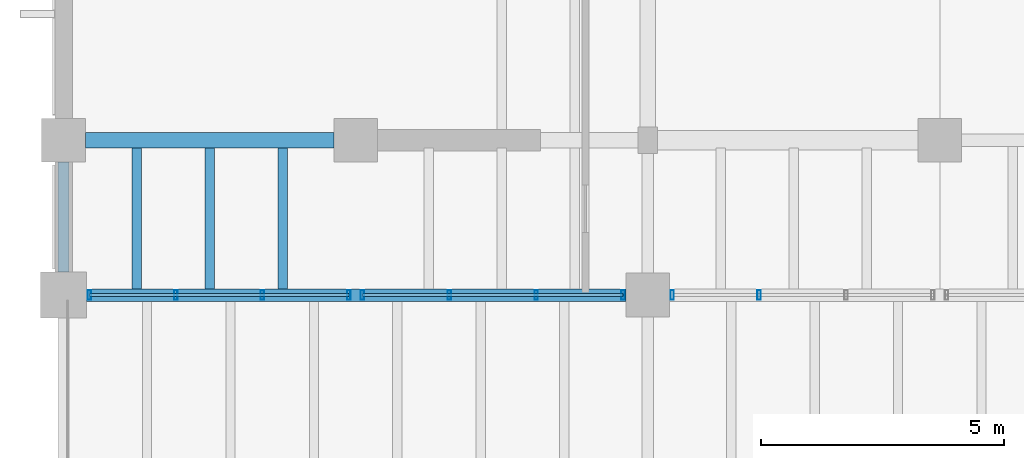
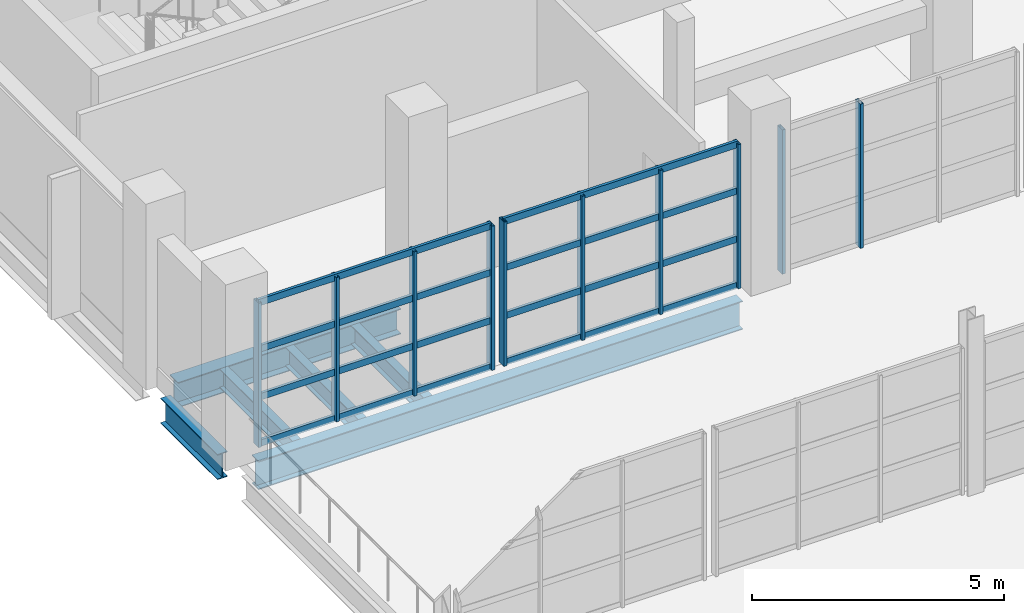
# One storey, part 54 of 114: 18 members, 6 beams, 3 elements without a shape of their own.
"""IFC4 building model written with IfcOpenShell, lengths in metres."""

import ifcopenshell
import ifcopenshell.guid

model = None  # the IFC model being written
_history = None  # IfcOwnerHistory: only IFC2X3 demands one
_inside = {}  # id of a spatial element -> (the spatial element, [elements in it])
_under = {}  # id of a project, library or spatial element -> (it, [spatial elements below it])
_declared = {}  # id of a project -> (the project, [libraries it declares])
_typed = {}  # id of a type object -> (the type object, [elements of that type])
_made_of = {}  # id of a material, layer set ... -> (it, [elements and type objects made of it])


def new_model(schema):
    """Start an empty IFC model of exactly this schema.

    Asked for "IFC4X3", IfcOpenShell would pick the latest addendum, in which some entities
    have other attributes; the version numbers below select the first issue.
    IFC2X3 requires an IfcOwnerHistory on every rooted entity: one is made here for all.
    """
    global model, _history
    if schema == "IFC4X3":
        model = ifcopenshell.file(schema_version=(4, 3, 0, 0))
    else:
        model = ifcopenshell.file(schema=schema)
    _inside.clear()
    _under.clear()
    _declared.clear()
    _typed.clear()
    _made_of.clear()
    _history = None
    if model.schema == "IFC2X3":
        org = make("IfcOrganization", Name="unknown")
        user = make(
            "IfcPersonAndOrganization",
            ThePerson=make("IfcPerson", FamilyName="unknown"),
            TheOrganization=org,
        )
        app = make(
            "IfcApplication",
            ApplicationDeveloper=org,
            Version="unknown",
            ApplicationFullName="unknown",
            ApplicationIdentifier="unknown",
        )
        _history = make(
            "IfcOwnerHistory",
            OwningUser=user,
            OwningApplication=app,
            ChangeAction="ADDED",
            CreationDate=0,
        )
    return model


def make(cls, **values):
    """One entity of the class cls with the attributes given. An attribute that is None is left unset."""
    return model.create_entity(
        cls, **{name: value for name, value in values.items() if value is not None}
    )


def rooted(cls, **values):
    """An entity with a GlobalId (a new one), such as an element, a storey or a relation."""
    return make(cls, GlobalId=ifcopenshell.guid.new(), OwnerHistory=_history, **values)


def si_unit(unit_type, name, prefix=None):
    """IfcSIUnit, for example si_unit("LENGTHUNIT", "METRE", prefix="MILLI")."""
    return make("IfcSIUnit", UnitType=unit_type, Prefix=prefix, Name=name)


def assignment(units):
    """IfcUnitAssignment: the units of a project."""
    return None if units is None else make("IfcUnitAssignment", Units=units)


def point(xyz):
    """IfcCartesianPoint."""
    return None if xyz is None else make("IfcCartesianPoint", Coordinates=xyz)


def direction(xyz):
    """IfcDirection."""
    return None if xyz is None else make("IfcDirection", DirectionRatios=xyz)


def frame(location, z_axis=None, x_axis=None):
    """IfcAxis2Placement3D, a coordinate frame: its origin and axes. An axis left out is left unset."""
    return make(
        "IfcAxis2Placement3D",
        Location=point(location),
        Axis=direction(z_axis),
        RefDirection=direction(x_axis),
    )


def frame_2d(location, x_axis=None):
    """IfcAxis2Placement2D, a coordinate frame in the plane: its origin and x axis."""
    return make(
        "IfcAxis2Placement2D", Location=point(location), RefDirection=direction(x_axis)
    )


def origin():
    """The frame at (0, 0, 0) with its axes left unset."""
    return frame((0.0, 0.0, 0.0))


def origin_2d():
    """The frame at (0, 0) in the plane with its x axis left unset."""
    return frame_2d((0.0, 0.0))


def place(relative_to, where):
    """IfcLocalPlacement: puts the frame where relative to a parent placement (None: the world)."""
    return make(
        "IfcLocalPlacement", PlacementRelTo=relative_to, RelativePlacement=where
    )


def context(
    kind, dimensions, precision=None, world=None, true_north=None, identifier=None
):
    """IfcGeometricRepresentationContext, for example the 3D "Model" context."""
    return make(
        "IfcGeometricRepresentationContext",
        ContextIdentifier=identifier,
        ContextType=kind,
        CoordinateSpaceDimension=dimensions,
        Precision=precision,
        WorldCoordinateSystem=world,
        TrueNorth=true_north,
    )


def subcontext(parent, identifier, kind, view, scale=None):
    """IfcGeometricRepresentationSubContext, for example "Body" below "Model"."""
    return make(
        "IfcGeometricRepresentationSubContext",
        ContextIdentifier=identifier,
        ContextType=kind,
        ParentContext=parent,
        TargetScale=scale,
        TargetView=view,
    )


def project(units=None, contexts=None):
    """IfcProject with its units and contexts."""
    return rooted(
        "IfcProject",
        Name="project",
        RepresentationContexts=contexts,
        UnitsInContext=assignment(units),
    )


def spatial(cls, under=None, at=None, **own):
    """A site, building, storey or space (cls), placed at a placement, below another one or the project."""
    s = rooted(cls, ObjectPlacement=at, **own)
    if under is not None:
        _under.setdefault(under.id(), (under, []))[1].append(s)
    return s


def profile(cls, at=None, kind="AREA", **sizes):
    """A parametric profile (cls). Its sizes go by their IFC names, for example OverallWidth=200.0."""
    return make(cls, ProfileType=kind, Position=at, **sizes)


def hollow_rectangle(**sizes):
    """IfcRectangleHollowProfileDef."""
    return profile("IfcRectangleHollowProfileDef", **sizes)


def i_section(**sizes):
    """IfcIShapeProfileDef."""
    return profile("IfcIShapeProfileDef", **sizes)


def extrude(swept, where, along, depth):
    """IfcExtrudedAreaSolid: the profile swept, set in the frame where, extruded along a direction by depth."""
    return make(
        "IfcExtrudedAreaSolid",
        SweptArea=swept,
        Position=where,
        ExtrudedDirection=direction(along),
        Depth=depth,
    )


def shape(context_of_items, identifier, shape_type, items):
    """IfcShapeRepresentation: the items that make up one representation, for example the "Body"."""
    return make(
        "IfcShapeRepresentation",
        ContextOfItems=context_of_items,
        RepresentationIdentifier=identifier,
        RepresentationType=shape_type,
        Items=items,
    )


def material(Name=None, Category=None):
    """IfcMaterial."""
    return make("IfcMaterial", Name=Name, Category=Category)


def material_profile(
    of_material, cross_section, Name=None, Category=None, Priority=None
):
    """IfcMaterialProfile: a cross section and its material."""
    return make(
        "IfcMaterialProfile",
        Name=Name,
        Material=of_material,
        Profile=cross_section,
        Priority=Priority,
        Category=Category,
    )


def profile_set(profiles, Name=None, composite=None):
    """IfcMaterialProfileSet."""
    return make(
        "IfcMaterialProfileSet",
        Name=Name,
        MaterialProfiles=profiles,
        CompositeProfile=composite,
    )


def made_of(thing, what):
    """Note that an element or type object is made of a material, layer set ...; save() writes the relation."""
    if what is not None:
        _made_of.setdefault(what.id(), (what, []))[1].append(thing)
    return thing


def type_object(cls, material=None, **own):
    """A type object (cls), such as IfcWallType, which elements share."""
    return made_of(rooted(cls, **own), material)


def element(
    cls,
    number,
    at=None,
    inside=None,
    cuts=None,
    type_object=None,
    material=None,
    context=None,
    identifier="Body",
    shape_type=None,
    held_by="IfcProductDefinitionShape",
    body=None,
    shapes=None,
    **own,
):
    """One element of the class cls, such as IfcWall. Its Tag is "e" and its number.

    at: its placement. inside: the storey or other place that contains it. cuts: it is an
    opening in that element (IfcRelVoidsElement). A single representation is given by context,
    identifier, shape_type and body (its items); several are given by shapes. held_by: the class
    of the entity that holds the representations. save() writes the other relations.
    """
    e = rooted(cls, Tag="e%d" % number, ObjectPlacement=at, **own)
    if body is not None:
        shapes = [shape(context, identifier, shape_type, body)]
    if shapes is not None:
        e.Representation = make(held_by, Representations=shapes)
    if inside is not None:
        _inside.setdefault(inside.id(), (inside, []))[1].append(e)
    if cuts is not None:
        rooted(
            "IfcRelVoidsElement", RelatingBuildingElement=cuts, RelatedOpeningElement=e
        )
    if type_object is not None:
        _typed.setdefault(type_object.id(), (type_object, []))[1].append(e)
    return made_of(e, material)


def aggregate(whole, parts):
    """IfcRelAggregates: a whole, such as a stair, and the parts it consists of."""
    return rooted("IfcRelAggregates", RelatingObject=whole, RelatedObjects=parts)


def save(model, path):
    """Write the relations noted so far, then the file.

    IfcRelAggregates (storeys below a building ...), IfcRelContainedInSpatialStructure (elements
    in a storey), IfcRelDefinesByType, IfcRelAssociatesMaterial and IfcRelDeclares: one each for
    every whole, place, type object, material and project.
    """
    for whole, parts in _under.values():
        aggregate(whole, parts)
    for where, things in _inside.values():
        rooted(
            "IfcRelContainedInSpatialStructure",
            RelatedElements=things,
            RelatingStructure=where,
        )
    for kind, things in _typed.values():
        rooted("IfcRelDefinesByType", RelatedObjects=things, RelatingType=kind)
    for what, things in _made_of.values():
        rooted("IfcRelAssociatesMaterial", RelatedObjects=things, RelatingMaterial=what)
    for by, libraries in _declared.values():
        rooted("IfcRelDeclares", RelatingContext=by, RelatedDefinitions=libraries)
    model.write(path)


model = new_model("IFC4")

# Units and contexts
model_context = context("Model", 3, precision=1e-05, world=origin(), true_north=direction((0.0, 1.0)))
body_context = subcontext(model_context, "Body", "Model", "MODEL_VIEW")
ifc_project = project(units=[si_unit("LENGTHUNIT", "METRE"), si_unit("AREAUNIT", "SQUARE_METRE"), si_unit("VOLUMEUNIT", "CUBIC_METRE"), si_unit("PLANEANGLEUNIT", "RADIAN"), si_unit("MASSUNIT", "GRAM", prefix="KILO")], contexts=[model_context])

# Site, building, storey
site_placement = place(None, origin())
site = spatial("IfcSite", under=ifc_project, at=site_placement, CompositionType="ELEMENT")
building_placement = place(site_placement, origin())
building = spatial("IfcBuilding", under=site, at=building_placement, Name="Kelmvaro Bay Concert Hall", CompositionType="ELEMENT")
storey_placement = place(building_placement, frame((0.0, 0.0, 4.800048828125)))
storey = spatial("IfcBuildingStorey", under=building, at=storey_placement, Name="L01", CompositionType="ELEMENT", Elevation=4.800048828125)

# Beams
ifc_material_1 = material(Name="Steel ASTM A992 Grade 50", Category="steel")
ifc_material_profile_1 = material_profile(ifc_material_1, i_section(OverallWidth=0.323974609375, OverallDepth=0.611083984375, WebThickness=0.0126953125, FlangeThickness=0.01904296875, at=origin_2d()), Name="W24X104")
ifc_profile_set_1 = profile_set([ifc_material_profile_1], Name="Steel ASTM A992 Grade 50")
beam_type_1 = type_object("IfcBeamType", Name="Foyer Frame Girder W24x104", PredefinedType="BEAM", material=ifc_profile_set_1)
beam_1_placement = place(storey_placement, frame((0.449951171875, 68.580078125, -0.60546875), z_axis=(1.0, 0.0, 0.0), x_axis=(0.0, 1.0, 0.0)))
element("IfcBeam", 1, at=beam_1_placement, inside=storey, type_object=beam_type_1, Name="L01 Girder BM-L01-EW-0079", PredefinedType="BEAM", context=body_context, shape_type="SweptSolid", body=[
    extrude(i_section(OverallWidth=0.323974609375, OverallDepth=0.611083984375, WebThickness=0.0126953125, FlangeThickness=0.01904296875, at=origin_2d()), origin(), (0.0, 0.0, 1.0), 5.10009765625),
])
ifc_material_2 = material(Name="Steel ASTM A992 Grade 50", Category="steel")
ifc_material_profile_2 = material_profile(ifc_material_2, i_section(OverallWidth=0.256103515625, OverallDepth=0.693115234375, WebThickness=0.014404296875, FlangeThickness=0.023681640625, at=origin_2d()), Name="W27X114")
ifc_profile_set_2 = profile_set([ifc_material_profile_2], Name="Steel ASTM A992 Grade 50")
beam_type_2 = type_object("IfcBeamType", Name="Foyer Primary Girder W27x114", PredefinedType="BEAM", material=ifc_profile_set_2)
beam_2_placement = place(storey_placement, frame((0.47509765625, 65.39990234375, -0.646484375), z_axis=(1.0, 0.0, 0.0), x_axis=(0.0, 1.0, 0.0)))
element("IfcBeam", 2, at=beam_2_placement, inside=storey, type_object=beam_type_2, Name="L01 Girder BM-L01-EW-0072", PredefinedType="BEAM", context=body_context, shape_type="SweptSolid", body=[
    extrude(i_section(OverallWidth=0.256103515625, OverallDepth=0.693115234375, WebThickness=0.014404296875, FlangeThickness=0.023681640625, at=origin_2d()), origin(), (0.0, 0.0, 1.0), 11.074951171875),
])
ifc_material_3 = material(Name="Steel ASTM A992 Grade 50", Category="steel")
ifc_material_profile_3 = material_profile(ifc_material_3, i_section(OverallWidth=0.19091796875, OverallDepth=0.45703125, WebThickness=0.009033203125, FlangeThickness=0.014404296875, at=origin_2d()), Name="W18X50")
ifc_profile_set_3 = profile_set([ifc_material_profile_3], Name="Steel ASTM A992 Grade 50")
beam_type_3 = type_object("IfcBeamType", Name="Standard Composite Floor Joist W18x50", PredefinedType="JOIST", material=ifc_profile_set_3)
for number, where, z_axis, x_axis, name in (
    (3, (1.5, 65.528076171875, -0.528564453125), (0.0, 1.0, 0.0), (-1.0, 0.0, 0.0), "L01 Floor Joist JST-L01-0544"),
    (4, (3.0, 65.528076171875, -0.528564453125), (0.0, 1.0, 0.0), (-1.0, 0.0, 0.0), "L01 Floor Joist JST-L01-0545"),
    (5, (4.5, 65.528076171875, -0.528564453125), (0.0, 1.0, 0.0), (-1.0, 0.0, 0.0), "L01 Floor Joist JST-L01-0546"),
):
    element("IfcBeam", number, at=place(storey_placement, frame(where, z_axis=z_axis, x_axis=x_axis)), inside=storey, type_object=beam_type_3, Name=name, PredefinedType="JOIST", context=body_context, shape_type="SweptSolid", body=[
        extrude(i_section(OverallWidth=0.19091796875, OverallDepth=0.45703125, WebThickness=0.009033203125, FlangeThickness=0.014404296875, at=origin_2d()), origin(), (0.0, 0.0, 1.0), 2.889892578125),
    ])
ifc_material_4 = material(Name="Steel ASTM A992 Grade 50", Category="steel")
ifc_material_profile_4 = material_profile(ifc_material_4, i_section(OverallWidth=0.22900390625, OverallDepth=0.612060546875, WebThickness=0.011962890625, FlangeThickness=0.01953125, at=origin_2d()), Name="W24X84")
ifc_profile_set_4 = profile_set([ifc_material_profile_4], Name="Steel ASTM A992 Grade 50")
beam_type_4 = type_object("IfcBeamType", Name="Terrace Edge Girder W24x84", PredefinedType="BEAM", material=ifc_profile_set_4)
beam_3_placement = place(storey_placement, frame((0.0, 65.875, -0.60595703125), z_axis=(0.0, 1.0, 0.0), x_axis=(-1.0, 0.0, 0.0)))
element("IfcBeam", 6, at=beam_3_placement, inside=storey, type_object=beam_type_4, Name="L01 Girder BM-L01-NS-0123", PredefinedType="BEAM", context=body_context, shape_type="SweptSolid", body=[
    extrude(i_section(OverallWidth=0.22900390625, OverallDepth=0.612060546875, WebThickness=0.011962890625, FlangeThickness=0.01953125, at=origin_2d()), origin(), (0.0, 0.0, 1.0), 2.2548828125),
])

# Curtain wall, members
ifc_material_5 = material(Name="Anodised Aluminium and Low-E Insulated Glazing", Category="aluminium")
curtain_wall_type = type_object("IfcCurtainWallType", Name="Symphony South Gallery Curtain Wall 3920", PredefinedType="USERDEFINED", material=ifc_material_5)
curtain_wall_1_placement = place(storey_placement, origin())
curtain_wall_1 = element("IfcCurtainWall", 7, at=curtain_wall_1_placement, inside=storey, type_object=curtain_wall_type, Name="Unitised Curtain Wall CW-L01-001", ObjectType="UNITISED GLAZING", PredefinedType="USERDEFINED")
ifc_material_6 = material(Name="Anodised Extruded Aluminium 6063-T6", Category="aluminium")
ifc_material_profile_5 = material_profile(ifc_material_6, hollow_rectangle(XDim=0.070068359375, YDim=0.199951171875, WallThickness=0.00439453125, at=origin_2d()), Name="ALU-MUL-200X70")
ifc_profile_set_5 = profile_set([ifc_material_profile_5], Name="Anodised Extruded Aluminium 6063-T6")
member_type_1 = type_object("IfcMemberType", Name="Waterfront Mullion ALU 200x70", PredefinedType="MULLION", material=ifc_profile_set_5)
member_1_placement = place(storey_placement, frame((5.860107421875, 65.39990234375, 0.0), z_axis=(0.0, 0.0, 1.0), x_axis=(1.0, 0.0, 0.0)))
member_1 = element("IfcMember", 8, at=member_1_placement, type_object=member_type_1, Name="CW-L01-001 Mullion 01", PredefinedType="MULLION", context=body_context, shape_type="SweptSolid", body=[
    extrude(hollow_rectangle(XDim=0.070068359375, YDim=0.199951171875, WallThickness=0.00439453125, at=origin_2d()), origin(), (0.0, 0.0, 1.0), 3.487060546875),
])
member_2_placement = place(storey_placement, frame((4.083251953125, 65.39990234375, 0.0), z_axis=(0.0, 0.0, 1.0), x_axis=(1.0, 0.0, 0.0)))
member_2 = element("IfcMember", 9, at=member_2_placement, type_object=member_type_1, Name="CW-L01-001 Mullion 02", PredefinedType="MULLION", context=body_context, shape_type="SweptSolid", body=[
    extrude(hollow_rectangle(XDim=0.070068359375, YDim=0.199951171875, WallThickness=0.00439453125, at=origin_2d()), origin(), (0.0, 0.0, 1.0), 3.487060546875),
])
member_3_placement = place(storey_placement, frame((2.306640625, 65.39990234375, 0.0), z_axis=(0.0, 0.0, 1.0), x_axis=(1.0, 0.0, 0.0)))
member_3 = element("IfcMember", 10, at=member_3_placement, type_object=member_type_1, Name="CW-L01-001 Mullion 03", PredefinedType="MULLION", context=body_context, shape_type="SweptSolid", body=[
    extrude(hollow_rectangle(XDim=0.070068359375, YDim=0.199951171875, WallThickness=0.00439453125, at=origin_2d()), origin(), (0.0, 0.0, 1.0), 3.487060546875),
])
member_4_placement = place(storey_placement, frame((0.530029296875, 65.39990234375, 0.0), z_axis=(0.0, 0.0, 1.0), x_axis=(1.0, 0.0, 0.0)))
member_4 = element("IfcMember", 11, at=member_4_placement, type_object=member_type_1, Name="CW-L01-001 Mullion 04", PredefinedType="MULLION", context=body_context, shape_type="SweptSolid", body=[
    extrude(hollow_rectangle(XDim=0.070068359375, YDim=0.199951171875, WallThickness=0.00439453125, at=origin_2d()), origin(), (0.0, 0.0, 1.0), 3.487060546875),
])

curtain_wall_2_placement = place(storey_placement, origin())
curtain_wall_2 = element("IfcCurtainWall", 12, at=curtain_wall_2_placement, inside=storey, type_object=curtain_wall_type, Name="Unitised Curtain Wall CW-L01-002", ObjectType="UNITISED GLAZING", PredefinedType="USERDEFINED")
member_5_placement = place(storey_placement, frame((11.4951171875, 65.39990234375, 0.0), z_axis=(0.0, 0.0, 1.0), x_axis=(1.0, 0.0, 0.0)))
member_5 = element("IfcMember", 13, at=member_5_placement, type_object=member_type_1, Name="CW-L01-002 Mullion 01", PredefinedType="MULLION", context=body_context, shape_type="SweptSolid", body=[
    extrude(hollow_rectangle(XDim=0.070068359375, YDim=0.199951171875, WallThickness=0.00439453125, at=origin_2d()), origin(), (0.0, 0.0, 1.0), 3.487060546875),
])
member_6_placement = place(storey_placement, frame((9.7099609375, 65.39990234375, 0.0), z_axis=(0.0, 0.0, 1.0), x_axis=(1.0, 0.0, 0.0)))
member_6 = element("IfcMember", 14, at=member_6_placement, type_object=member_type_1, Name="CW-L01-002 Mullion 02", PredefinedType="MULLION", context=body_context, shape_type="SweptSolid", body=[
    extrude(hollow_rectangle(XDim=0.070068359375, YDim=0.199951171875, WallThickness=0.00439453125, at=origin_2d()), origin(), (0.0, 0.0, 1.0), 3.487060546875),
])
member_7_placement = place(storey_placement, frame((7.925048828125, 65.39990234375, 0.0), z_axis=(0.0, 0.0, 1.0), x_axis=(1.0, 0.0, 0.0)))
member_7 = element("IfcMember", 15, at=member_7_placement, type_object=member_type_1, Name="CW-L01-002 Mullion 03", PredefinedType="MULLION", context=body_context, shape_type="SweptSolid", body=[
    extrude(hollow_rectangle(XDim=0.070068359375, YDim=0.199951171875, WallThickness=0.00439453125, at=origin_2d()), origin(), (0.0, 0.0, 1.0), 3.487060546875),
])
member_8_placement = place(storey_placement, frame((6.139892578125, 65.39990234375, 0.0), z_axis=(0.0, 0.0, 1.0), x_axis=(1.0, 0.0, 0.0)))
member_8 = element("IfcMember", 16, at=member_8_placement, type_object=member_type_1, Name="CW-L01-002 Mullion 04", PredefinedType="MULLION", context=body_context, shape_type="SweptSolid", body=[
    extrude(hollow_rectangle(XDim=0.070068359375, YDim=0.199951171875, WallThickness=0.00439453125, at=origin_2d()), origin(), (0.0, 0.0, 1.0), 3.487060546875),
])

curtain_wall_3_placement = place(storey_placement, origin())
curtain_wall_3 = element("IfcCurtainWall", 17, at=curtain_wall_3_placement, inside=storey, type_object=curtain_wall_type, Name="Unitised Curtain Wall CW-L01-003", ObjectType="UNITISED GLAZING", PredefinedType="USERDEFINED")
member_9_placement = place(storey_placement, frame((14.2900390625, 65.39990234375, 0.0), z_axis=(0.0, 0.0, 1.0), x_axis=(1.0, 0.0, 0.0)))
member_9 = element("IfcMember", 18, at=member_9_placement, type_object=member_type_1, Name="CW-L01-003 Mullion 03", PredefinedType="MULLION", context=body_context, shape_type="SweptSolid", body=[
    extrude(hollow_rectangle(XDim=0.070068359375, YDim=0.199951171875, WallThickness=0.00439453125, at=origin_2d()), origin(), (0.0, 0.0, 1.0), 3.487060546875),
])
member_10_placement = place(storey_placement, frame((12.5048828125, 65.39990234375, 0.0), z_axis=(0.0, 0.0, 1.0), x_axis=(1.0, 0.0, 0.0)))
member_10 = element("IfcMember", 19, at=member_10_placement, type_object=member_type_1, Name="CW-L01-003 Mullion 04", PredefinedType="MULLION", context=body_context, shape_type="SweptSolid", body=[
    extrude(hollow_rectangle(XDim=0.070068359375, YDim=0.199951171875, WallThickness=0.00439453125, at=origin_2d()), origin(), (0.0, 0.0, 1.0), 3.487060546875),
])
aggregate(curtain_wall_3, [member_9, member_10])

# Member
ifc_material_7 = material(Name="Anodised Extruded Aluminium 6063-T6", Category="aluminium")
ifc_material_profile_6 = material_profile(ifc_material_7, hollow_rectangle(XDim=0.06494140625, YDim=0.159912109375, WallThickness=0.00390625, at=origin_2d()), Name="ALU-TRN-160X65")
ifc_profile_set_6 = profile_set([ifc_material_profile_6], Name="Anodised Extruded Aluminium 6063-T6")
member_type_2 = type_object("IfcMemberType", Name="Waterfront Transom ALU 160x65", PredefinedType="USERDEFINED", material=ifc_profile_set_6)
member_11_placement = place(storey_placement, frame((5.860107421875, 65.39990234375, 0.0400390625), z_axis=(-1.0, 0.0, 0.0), x_axis=(0.0, -1.0, 0.0)))
member_11 = element("IfcMember", 20, at=member_11_placement, type_object=member_type_2, Name="CW-L01-001 Transom 01", ObjectType="TRANSOM", PredefinedType="USERDEFINED", context=body_context, shape_type="SweptSolid", body=[
    extrude(hollow_rectangle(XDim=0.06494140625, YDim=0.159912109375, WallThickness=0.00390625, at=origin_2d()), origin(), (0.0, 0.0, 1.0), 5.330078125),
])

member_12_placement = place(storey_placement, frame((5.860107421875, 65.39990234375, 1.162353515625), z_axis=(-1.0, 0.0, 0.0), x_axis=(0.0, -1.0, 0.0)))
member_12 = element("IfcMember", 21, at=member_12_placement, type_object=member_type_2, Name="CW-L01-001 Transom 02", ObjectType="TRANSOM", PredefinedType="USERDEFINED", context=body_context, shape_type="SweptSolid", body=[
    extrude(hollow_rectangle(XDim=0.06494140625, YDim=0.159912109375, WallThickness=0.00390625, at=origin_2d()), origin(), (0.0, 0.0, 1.0), 5.330078125),
])

member_13_placement = place(storey_placement, frame((5.860107421875, 65.39990234375, 2.32470703125), z_axis=(-1.0, 0.0, 0.0), x_axis=(0.0, -1.0, 0.0)))
member_13 = element("IfcMember", 22, at=member_13_placement, type_object=member_type_2, Name="CW-L01-001 Transom 03", ObjectType="TRANSOM", PredefinedType="USERDEFINED", context=body_context, shape_type="SweptSolid", body=[
    extrude(hollow_rectangle(XDim=0.06494140625, YDim=0.159912109375, WallThickness=0.00390625, at=origin_2d()), origin(), (0.0, 0.0, 1.0), 5.330078125),
])

member_14_placement = place(storey_placement, frame((5.860107421875, 65.39990234375, 3.447021484375), z_axis=(-1.0, 0.0, 0.0), x_axis=(0.0, -1.0, 0.0)))
member_14 = element("IfcMember", 23, at=member_14_placement, type_object=member_type_2, Name="CW-L01-001 Transom 04", ObjectType="TRANSOM", PredefinedType="USERDEFINED", context=body_context, shape_type="SweptSolid", body=[
    extrude(hollow_rectangle(XDim=0.06494140625, YDim=0.159912109375, WallThickness=0.00390625, at=origin_2d()), origin(), (0.0, 0.0, 1.0), 5.330078125),
])

aggregate(curtain_wall_1, [member_1, member_2, member_3, member_4, member_11, member_12, member_13, member_14])

member_15_placement = place(storey_placement, frame((11.4951171875, 65.39990234375, 0.0400390625), z_axis=(-1.0, 0.0, 0.0), x_axis=(0.0, -1.0, 0.0)))
member_15 = element("IfcMember", 24, at=member_15_placement, type_object=member_type_2, Name="CW-L01-002 Transom 01", ObjectType="TRANSOM", PredefinedType="USERDEFINED", context=body_context, shape_type="SweptSolid", body=[
    extrude(hollow_rectangle(XDim=0.06494140625, YDim=0.159912109375, WallThickness=0.00390625, at=origin_2d()), origin(), (0.0, 0.0, 1.0), 5.355224609375),
])

member_16_placement = place(storey_placement, frame((11.4951171875, 65.39990234375, 1.162353515625), z_axis=(-1.0, 0.0, 0.0), x_axis=(0.0, -1.0, 0.0)))
member_16 = element("IfcMember", 25, at=member_16_placement, type_object=member_type_2, Name="CW-L01-002 Transom 02", ObjectType="TRANSOM", PredefinedType="USERDEFINED", context=body_context, shape_type="SweptSolid", body=[
    extrude(hollow_rectangle(XDim=0.06494140625, YDim=0.159912109375, WallThickness=0.00390625, at=origin_2d()), origin(), (0.0, 0.0, 1.0), 5.355224609375),
])

member_17_placement = place(storey_placement, frame((11.4951171875, 65.39990234375, 2.32470703125), z_axis=(-1.0, 0.0, 0.0), x_axis=(0.0, -1.0, 0.0)))
member_17 = element("IfcMember", 26, at=member_17_placement, type_object=member_type_2, Name="CW-L01-002 Transom 03", ObjectType="TRANSOM", PredefinedType="USERDEFINED", context=body_context, shape_type="SweptSolid", body=[
    extrude(hollow_rectangle(XDim=0.06494140625, YDim=0.159912109375, WallThickness=0.00390625, at=origin_2d()), origin(), (0.0, 0.0, 1.0), 5.355224609375),
])

member_18_placement = place(storey_placement, frame((11.4951171875, 65.39990234375, 3.447021484375), z_axis=(-1.0, 0.0, 0.0), x_axis=(0.0, -1.0, 0.0)))
member_18 = element("IfcMember", 27, at=member_18_placement, type_object=member_type_2, Name="CW-L01-002 Transom 04", ObjectType="TRANSOM", PredefinedType="USERDEFINED", context=body_context, shape_type="SweptSolid", body=[
    extrude(hollow_rectangle(XDim=0.06494140625, YDim=0.159912109375, WallThickness=0.00390625, at=origin_2d()), origin(), (0.0, 0.0, 1.0), 5.355224609375),
])

aggregate(curtain_wall_2, [member_5, member_6, member_7, member_8, member_15, member_16, member_17, member_18])

save(model, "model.ifc")
